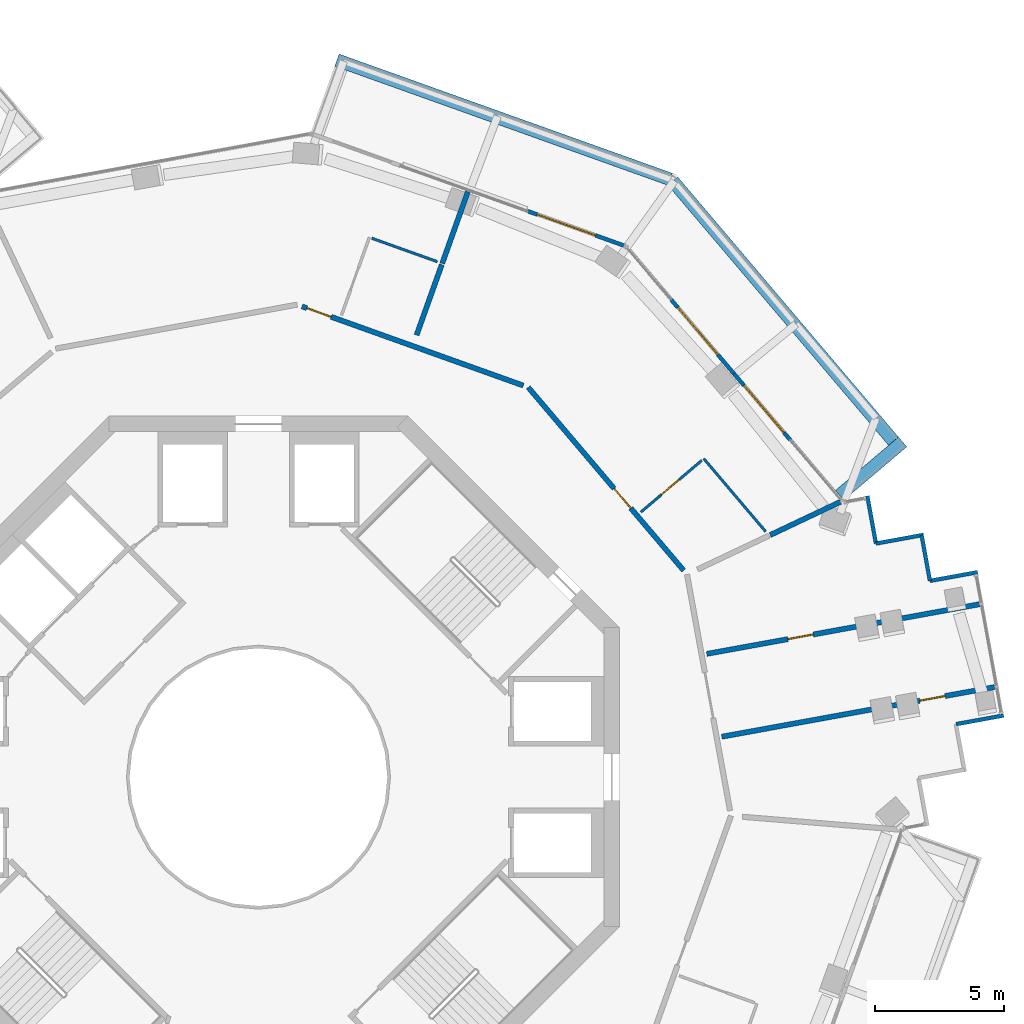
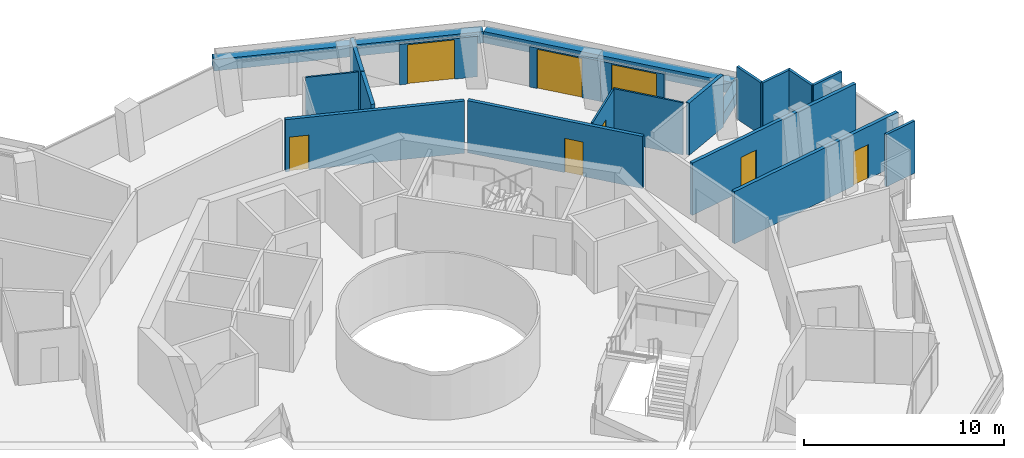
# One storey, part 18 of 21: 21 walls, 8 doors, 8 openings.
"""IFC4 building model written with IfcOpenShell, lengths in metres."""

from ifc_helpers import new_model, si_unit, direction, frame, frame_2d, origin, place, context, subcontext, project, spatial, rectangle, extrude, material, layer, layer_set, type_object, element, fill, save


model = new_model("IFC4")

# Units and contexts
model_context = context("Model", 3, precision=1e-05, world=origin(), true_north=direction((0.0, 1.0)))
body_context = subcontext(model_context, "Body", "Model", "MODEL_VIEW")
ifc_project = project(units=[si_unit("LENGTHUNIT", "METRE"), si_unit("AREAUNIT", "SQUARE_METRE"), si_unit("VOLUMEUNIT", "CUBIC_METRE"), si_unit("PLANEANGLEUNIT", "RADIAN"), si_unit("MASSUNIT", "GRAM", prefix="KILO")], contexts=[model_context])

# Site, building, storey
site_placement = place(None, origin())
site = spatial("IfcSite", under=ifc_project, at=site_placement, CompositionType="ELEMENT")
building_placement = place(site_placement, origin())
building = spatial("IfcBuilding", under=site, at=building_placement, Name="Verdalira Terraces Hotel", CompositionType="ELEMENT")
storey_placement = place(building_placement, frame((0.0, 0.0, 197.5)))
storey = spatial("IfcBuildingStorey", under=building, at=storey_placement, Name="L48", CompositionType="ELEMENT", Elevation=197.5)

# Walls
ifc_material_1 = material(Name="Concrete C40", Category="concrete")
ifc_layer_1 = layer(ifc_material_1, 0.5)
ifc_layer_set_1 = layer_set([ifc_layer_1], Name="Balcony planter trough with tree")
wall_type_1 = type_object("IfcWallType", Name="Balcony planter trough with tree", PredefinedType="SOLIDWALL", material=ifc_layer_set_1)
wall_1_placement = place(storey_placement, frame((22.540527, 10.931885, 0.0), z_axis=(0.0, 0.0, 1.0), x_axis=(0.762447521, 0.647050058, 0.0)))
element("IfcWall", 1, at=wall_1_placement, inside=storey, type_object=wall_type_1, Name="Balcony planter", PredefinedType="SOLIDWALL", context=body_context, shape_type="SweptSolid", body=[
    extrude(rectangle(XDim=3.198975, YDim=0.5, at=frame_2d((1.599609, 0.0))), origin(), (0.0, 0.0, 1.0), 0.699951),
])
wall_2_placement = place(storey_placement, frame((24.627197, 13.030762, 0.0), z_axis=(0.0, 0.0, 1.0), x_axis=(-0.647062996, 0.762436541, 0.0)))
element("IfcWall", 2, at=wall_2_placement, inside=storey, type_object=wall_type_1, Name="Balcony planter", PredefinedType="SOLIDWALL", context=body_context, shape_type="SweptSolid", body=[
    extrude(rectangle(XDim=13.223389, YDim=0.5, at=frame_2d((6.611816, 0.0))), origin(), (0.0, 0.0, 1.0), 0.699951),
])
wall_3_placement = place(storey_placement, frame((15.964355, 23.186523, 0.0), z_axis=(0.0, 0.0, 1.0), x_axis=(-0.941588869, 0.33676461, 0.0)))
element("IfcWall", 3, at=wall_3_placement, inside=storey, type_object=wall_type_1, Name="Balcony planter", PredefinedType="SOLIDWALL", context=body_context, shape_type="SweptSolid", body=[
    extrude(rectangle(XDim=13.723389, YDim=0.5, at=frame_2d((6.861816, 0.0))), origin(), (0.0, 0.0, 1.0), 0.699951),
])
ifc_material_2 = material(Name="Moisture-resistant gypsum board partition")
ifc_layer_2 = layer(ifc_material_2, 0.10009765625)
ifc_layer_set_2 = layer_set([ifc_layer_2], Name="Bathroom partition 100 mm")
wall_type_2 = type_object("IfcWallType", Name="Bathroom partition 100 mm", PredefinedType="PARTITIONING", material=ifc_layer_set_2)
wall_4_placement = place(storey_placement, frame((4.394775, 20.89917, 0.0), z_axis=(0.0, 0.0, 1.0), x_axis=(0.941567897, -0.336823242, 0.0)))
element("IfcWall", 4, at=wall_4_placement, inside=storey, type_object=wall_type_2, Name="Bathroom partition", PredefinedType="PARTITIONING", context=body_context, shape_type="SweptSolid", body=[
    extrude(rectangle(XDim=2.699951, YDim=0.100098, at=frame_2d((1.350098, 0.0))), origin(), (0.0, 0.0, 1.0), 3.189941),
])

# Wall, opening, door
wall_5_placement = place(storey_placement, frame((17.193604, 12.2854, 0.0), z_axis=(0.0, 0.0, 1.0), x_axis=(-0.762432611, -0.647067627, 0.0)))
wall_5 = element("IfcWall", 5, at=wall_5_placement, inside=storey, type_object=wall_type_2, Name="Bathroom partition", PredefinedType="PARTITIONING", context=body_context, shape_type="SweptSolid", body=[
    extrude(rectangle(XDim=3.100342, YDim=0.100098, at=frame_2d((1.550293, 0.0))), origin(), (0.0, 0.0, 1.0), 3.189941),
])
opening_1_placement = place(wall_5_placement, frame((1.149902, 0.0, 0.0)))
opening_1 = element("IfcOpeningElement", 6, at=opening_1_placement, cuts=wall_5, Name="Opening L48-122", PredefinedType="OPENING", context=body_context, shape_type="SweptSolid", body=[
    extrude(rectangle(XDim=0.899902, YDim=2.100098, at=frame_2d((0.449951, 1.050049))), frame((0.0, 0.060059, 0.0), z_axis=(0.0, -1.0, 0.0), x_axis=(1.0, 0.0, 0.0)), (0.0, 0.0, 1.0), 0.120117),
])
ifc_material_3 = material(Name="Timber door", Category="wood")
door_type_1 = type_object("IfcDoorType", Name="Bathroom door 900 x 2100", OperationType="NOTDEFINED", PredefinedType="DOOR", material=ifc_material_3)
door_1_placement = place(opening_1_placement, origin())
door_1 = element("IfcDoor", 7, at=door_1_placement, inside=storey, type_object=door_type_1, Name="Bathroom door 4809", OperationType="SINGLE_SWING_LEFT", OverallHeight=2.10009765625, OverallWidth=0.89990234375, PredefinedType="DOOR", context=body_context, shape_type="SweptSolid", body=[
    extrude(rectangle(XDim=0.899902, YDim=2.100098, at=frame_2d((0.449951, 1.050049))), frame((0.0, 0.024902, 0.0), z_axis=(0.0, -1.0, 0.0), x_axis=(1.0, 0.0, 0.0)), (0.0, 0.0, 1.0), 0.050049),
])
fill(opening_1, door_1)

# Walls
wall_6_placement = place(storey_placement, frame((17.269775, 12.350098, 0.0), z_axis=(0.0, 0.0, 1.0), x_axis=(0.647043638, -0.76245297, 0.0)))
element("IfcWall", 8, at=wall_6_placement, inside=storey, type_object=wall_type_2, Name="Bathroom partition", PredefinedType="PARTITIONING", context=body_context, shape_type="SweptSolid", body=[
    extrude(rectangle(XDim=3.704102, YDim=0.100098, at=frame_2d((1.852051, 0.0))), origin(), (0.0, 0.0, 1.0), 3.189941),
])
ifc_material_4 = material(Name="Fire-rated gypsum board wall")
ifc_layer_3 = layer(ifc_material_4, 0.199951171875)
ifc_layer_set_3 = layer_set([ifc_layer_3], Name="Demising wall 200 mm")
wall_type_3 = type_object("IfcWallType", Name="Demising wall 200 mm", PredefinedType="SOLIDWALL", material=ifc_layer_set_3)
wall_7_placement = place(storey_placement, frame((6.131104, 17.14209, 0.0), z_axis=(0.0, 0.0, 1.0), x_axis=(0.336778275, 0.941583981, 0.0)))
element("IfcWall", 9, at=wall_7_placement, inside=storey, type_object=wall_type_3, Name="Demising wall", PredefinedType="SOLIDWALL", context=body_context, shape_type="SweptSolid", body=[
    extrude(rectangle(XDim=2.904785, YDim=0.199951, at=frame_2d((1.452393, 0.0))), origin(), (0.0, 0.0, 1.0), 3.189941),
])
wall_8_placement = place(storey_placement, frame((7.124756, 19.92041, 0.0), z_axis=(0.0, 0.0, 1.0), x_axis=(0.336744989, 0.941595886, 0.0)))
element("IfcWall", 10, at=wall_8_placement, inside=storey, type_object=wall_type_3, Name="Demising wall", PredefinedType="SOLIDWALL", context=body_context, shape_type="SweptSolid", body=[
    extrude(rectangle(XDim=2.952148, YDim=0.199951, at=frame_2d((1.476074, 0.0))), origin(), (0.0, 0.0, 1.0), 3.189941),
])
wall_9_placement = place(storey_placement, frame((19.84375, 9.388672, 0.0), z_axis=(0.0, 0.0, 1.0), x_axis=(0.90394408, 0.427650675, 0.0)))
element("IfcWall", 11, at=wall_9_placement, inside=storey, type_object=wall_type_3, Name="Demising wall", PredefinedType="SOLIDWALL", context=body_context, shape_type="SweptSolid", body=[
    extrude(rectangle(XDim=3.011475, YDim=0.199951, at=frame_2d((1.505859, 0.0))), origin(), (0.0, 0.0, 1.0), 3.189941),
])

# Wall, opening, door
wall_10_placement = place(storey_placement, frame((17.383301, 4.780518, 0.0), z_axis=(0.0, 0.0, 1.0), x_axis=(0.983822637, 0.179145247, 0.0)))
wall_10 = element("IfcWall", 12, at=wall_10_placement, inside=storey, type_object=wall_type_3, Name="Demising wall", PredefinedType="SOLIDWALL", context=body_context, shape_type="SweptSolid", body=[
    extrude(rectangle(XDim=10.749756, YDim=0.199951, at=frame_2d((5.375, 0.0))), origin(), (0.0, 0.0, 1.0), 3.189941),
])
opening_2_placement = place(wall_10_placement, frame((3.199951, 0.0, 0.0)))
opening_2 = element("IfcOpeningElement", 13, at=opening_2_placement, cuts=wall_10, Name="Opening L48-120", PredefinedType="OPENING", context=body_context, shape_type="SweptSolid", body=[
    extrude(rectangle(XDim=1.0, YDim=2.100098, at=frame_2d((0.5, 1.050049))), frame((0.0, 0.109863, 0.0), z_axis=(0.0, -1.0, 0.0), x_axis=(1.0, 0.0, 0.0)), (0.0, 0.0, 1.0), 0.219971),
])
ifc_material_5 = material(Name="Timber fire door", Category="wood")
door_type_2 = type_object("IfcDoorType", Name="Public room door 1000 x 2100", OperationType="NOTDEFINED", PredefinedType="DOOR", material=ifc_material_5)
door_2_placement = place(opening_2_placement, origin())
door_2 = element("IfcDoor", 14, at=door_2_placement, inside=storey, type_object=door_type_2, Name="Public room door 4808", OperationType="SINGLE_SWING_LEFT", OverallHeight=2.10009765625, OverallWidth=1.0, PredefinedType="DOOR", context=body_context, shape_type="SweptSolid", body=[
    extrude(rectangle(XDim=1.0, YDim=2.100098, at=frame_2d((0.5, 1.050049))), frame((0.0, 0.024902, 0.0), z_axis=(0.0, -1.0, 0.0), x_axis=(1.0, 0.0, 0.0)), (0.0, 0.0, 1.0), 0.050049),
])
fill(opening_2, door_2)

wall_11_placement = place(storey_placement, frame((28.544189, 3.494385, 0.0), z_axis=(0.0, 0.0, 1.0), x_axis=(-0.983823366, -0.179141244, 0.0)))
wall_11 = element("IfcWall", 15, at=wall_11_placement, inside=storey, type_object=wall_type_3, Name="Demising wall", PredefinedType="SOLIDWALL", context=body_context, shape_type="SweptSolid", body=[
    extrude(rectangle(XDim=10.75, YDim=0.199951, at=frame_2d((5.375, 0.0))), origin(), (0.0, 0.0, 1.0), 3.189941),
])
opening_3_placement = place(wall_11_placement, frame((1.949951, 0.0, 0.0)))
opening_3 = element("IfcOpeningElement", 16, at=opening_3_placement, cuts=wall_11, Name="Opening L48-119", PredefinedType="OPENING", context=body_context, shape_type="SweptSolid", body=[
    extrude(rectangle(XDim=1.0, YDim=2.100098, at=frame_2d((0.5, 1.050049))), frame((0.0, 0.109863, 0.0), z_axis=(0.0, -1.0, 0.0), x_axis=(1.0, 0.0, 0.0)), (0.0, 0.0, 1.0), 0.219971),
])
door_3_placement = place(opening_3_placement, origin())
door_3 = element("IfcDoor", 17, at=door_3_placement, inside=storey, type_object=door_type_2, Name="Public room door 4808", OperationType="SINGLE_SWING_LEFT", OverallHeight=2.10009765625, OverallWidth=1.0, PredefinedType="DOOR", context=body_context, shape_type="SweptSolid", body=[
    extrude(rectangle(XDim=1.0, YDim=2.100098, at=frame_2d((0.5, 1.050049))), frame((0.0, 0.024902, 0.0), z_axis=(0.0, -1.0, 0.0), x_axis=(1.0, 0.0, 0.0)), (0.0, 0.0, 1.0), 0.050049),
])
fill(opening_3, door_3)

ifc_material_6 = material(Name="Fire-rated gypsum board wall")
ifc_layer_4 = layer(ifc_material_6, 0.199951171875)
ifc_layer_set_4 = layer_set([ifc_layer_4], Name="Guest corridor wall 200 mm")
wall_type_4 = type_object("IfcWallType", Name="Guest corridor wall 200 mm", PredefinedType="SOLIDWALL", material=ifc_layer_set_4)
wall_12_placement = place(storey_placement, frame((1.688721, 18.255859, 0.0), z_axis=(0.0, 0.0, 1.0), x_axis=(0.941589725, -0.336762215, 0.0)))
wall_12 = element("IfcWall", 18, at=wall_12_placement, inside=storey, type_object=wall_type_4, Name="Guest corridor wall", PredefinedType="SOLIDWALL", context=body_context, shape_type="SweptSolid", body=[
    extrude(rectangle(XDim=9.115723, YDim=0.199951, at=frame_2d((4.557861, 0.0))), origin(), (0.0, 0.0, 1.0), 3.189941),
])
opening_4_placement = place(wall_12_placement, frame((0.199951, 0.0, 0.0)))
opening_4 = element("IfcOpeningElement", 19, at=opening_4_placement, cuts=wall_12, Name="Opening L48-123", PredefinedType="OPENING", context=body_context, shape_type="SweptSolid", body=[
    extrude(rectangle(XDim=1.0, YDim=2.100098, at=frame_2d((0.5, 1.050049))), frame((0.0, 0.109863, 0.0), z_axis=(0.0, -1.0, 0.0), x_axis=(1.0, 0.0, 0.0)), (0.0, 0.0, 1.0), 0.219971),
])
ifc_material_7 = material(Name="Timber fire door", Category="wood")
door_type_3 = type_object("IfcDoorType", Name="Guest entry door 1000 x 2100", OperationType="NOTDEFINED", PredefinedType="DOOR", material=ifc_material_7)
door_4_placement = place(opening_4_placement, origin())
door_4 = element("IfcDoor", 20, at=door_4_placement, inside=storey, type_object=door_type_3, Name="Guest entry door 4810", OperationType="SINGLE_SWING_LEFT", OverallHeight=2.10009765625, OverallWidth=1.0, PredefinedType="DOOR", context=body_context, shape_type="SweptSolid", body=[
    extrude(rectangle(XDim=1.0, YDim=2.100098, at=frame_2d((0.5, 1.050049))), frame((0.0, 0.024902, 0.0), z_axis=(0.0, -1.0, 0.0), x_axis=(1.0, 0.0, 0.0)), (0.0, 0.0, 1.0), 0.050049),
])
fill(opening_4, door_4)

wall_13_placement = place(storey_placement, frame((10.461182, 15.118164, 0.0), z_axis=(0.0, 0.0, 1.0), x_axis=(0.647056399, -0.76244214, 0.0)))
wall_13 = element("IfcWall", 21, at=wall_13_placement, inside=storey, type_object=wall_type_4, Name="Guest corridor wall", PredefinedType="SOLIDWALL", context=body_context, shape_type="SweptSolid", body=[
    extrude(rectangle(XDim=9.316162, YDim=0.199951, at=frame_2d((4.658203, 0.0))), origin(), (0.0, 0.0, 1.0), 3.189941),
])
opening_5_placement = place(wall_13_placement, frame((5.149902, 0.0, 0.0)))
opening_5 = element("IfcOpeningElement", 22, at=opening_5_placement, cuts=wall_13, Name="Opening L48-121", PredefinedType="OPENING", context=body_context, shape_type="SweptSolid", body=[
    extrude(rectangle(XDim=1.0, YDim=2.100098, at=frame_2d((0.5, 1.050049))), frame((0.0, 0.109863, 0.0), z_axis=(0.0, -1.0, 0.0), x_axis=(1.0, 0.0, 0.0)), (0.0, 0.0, 1.0), 0.219971),
])
door_5_placement = place(opening_5_placement, origin())
door_5 = element("IfcDoor", 23, at=door_5_placement, inside=storey, type_object=door_type_3, Name="Guest entry door 4809", OperationType="SINGLE_SWING_LEFT", OverallHeight=2.10009765625, OverallWidth=1.0, PredefinedType="DOOR", context=body_context, shape_type="SweptSolid", body=[
    extrude(rectangle(XDim=1.0, YDim=2.100098, at=frame_2d((0.5, 1.050049))), frame((0.0, 0.024902, 0.0), z_axis=(0.0, -1.0, 0.0), x_axis=(1.0, 0.0, 0.0)), (0.0, 0.0, 1.0), 0.050049),
])
fill(opening_5, door_5)

# Walls
ifc_material_8 = material(Name="Terracotta cladding", Category="masonry")
ifc_layer_5 = layer(ifc_material_8, 0.14990234375)
ifc_layer_set_5 = layer_set([ifc_layer_5], Name="Terracotta clad wall 150")
wall_type_5 = type_object("IfcWallType", Name="Terracotta clad wall 150", PredefinedType="SOLIDWALL", material=ifc_layer_set_5)
wall_14_placement = place(storey_placement, frame((27.052979, 2.054688, 0.0), z_axis=(0.0, 0.0, 1.0), x_axis=(0.983815693, 0.179183374, 0.0)))
element("IfcWall", 24, at=wall_14_placement, inside=storey, type_object=wall_type_5, Name="Terracotta cladding wall", PredefinedType="SOLIDWALL", context=body_context, shape_type="SweptSolid", body=[
    extrude(rectangle(XDim=1.874756, YDim=0.149902, at=frame_2d((0.9375, 0.0))), origin(), (0.0, 0.0, 1.0), 3.189941),
])
wall_15_placement = place(storey_placement, frame((27.885498, 7.949219, 0.0), z_axis=(0.0, 0.0, 1.0), x_axis=(-0.983819873, -0.179160422, 0.0)))
element("IfcWall", 25, at=wall_15_placement, inside=storey, type_object=wall_type_5, Name="Terracotta cladding wall", PredefinedType="SOLIDWALL", context=body_context, shape_type="SweptSolid", body=[
    extrude(rectangle(XDim=1.875, YDim=0.149902, at=frame_2d((0.9375, 0.0))), origin(), (0.0, 0.0, 1.0), 3.189941),
])
wall_16_placement = place(storey_placement, frame((26.040771, 7.613281, 0.0), z_axis=(0.0, 0.0, 1.0), x_axis=(-0.179183844, 0.983815608, 0.0)))
element("IfcWall", 26, at=wall_16_placement, inside=storey, type_object=wall_type_5, Name="Terracotta cladding wall", PredefinedType="SOLIDWALL", context=body_context, shape_type="SweptSolid", body=[
    extrude(rectangle(XDim=1.799805, YDim=0.149902, at=frame_2d((0.899902, 0.0))), origin(), (0.0, 0.0, 1.0), 3.189941),
])
wall_17_placement = place(storey_placement, frame((25.791992, 9.397461, 0.0), z_axis=(0.0, 0.0, 1.0), x_axis=(-0.983842816, -0.179034393, 0.0)))
element("IfcWall", 27, at=wall_17_placement, inside=storey, type_object=wall_type_5, Name="Terracotta cladding wall", PredefinedType="SOLIDWALL", context=body_context, shape_type="SweptSolid", body=[
    extrude(rectangle(XDim=1.875, YDim=0.149902, at=frame_2d((0.9375, 0.0))), origin(), (0.0, 0.0, 1.0), 3.189941),
])
wall_18_placement = place(storey_placement, frame((23.947266, 9.061768, 0.0), z_axis=(0.0, 0.0, 1.0), x_axis=(-0.179057331, 0.983838641, 0.0)))
element("IfcWall", 28, at=wall_18_placement, inside=storey, type_object=wall_type_5, Name="Terracotta cladding wall", PredefinedType="SOLIDWALL", context=body_context, shape_type="SweptSolid", body=[
    extrude(rectangle(XDim=1.874756, YDim=0.149902, at=frame_2d((0.9375, 0.0))), origin(), (0.0, 0.0, 1.0), 3.189941),
])

# Wall, opening, door
ifc_material_9 = material(Name="Terracotta cladding", Category="masonry")
ifc_layer_6 = layer(ifc_material_9, 0.14990234375)
ifc_layer_set_6 = layer_set([ifc_layer_6], Name="Terracotta door pier 150")
wall_type_6 = type_object("IfcWallType", Name="Terracotta door pier 150", PredefinedType="SOLIDWALL", material=ifc_layer_set_6)
wall_19_placement = place(storey_placement, frame((20.638428, 13.055664, 0.0), z_axis=(0.0, 0.0, 1.0), x_axis=(-0.647052089, 0.762445797, 0.0)))
wall_19 = element("IfcWall", 29, at=wall_19_placement, inside=storey, type_object=wall_type_6, Name="Terracotta door pier", PredefinedType="SOLIDWALL", context=body_context, shape_type="SweptSolid", body=[
    extrude(rectangle(XDim=3.399902, YDim=0.149902, at=frame_2d((1.699951, 0.0))), origin(), (0.0, 0.0, 1.0), 2.475098),
])
opening_6_placement = place(wall_19_placement, frame((0.399902, 0.0, 0.0)))
opening_6 = element("IfcOpeningElement", 30, at=opening_6_placement, cuts=wall_19, Name="Opening L48-B11", PredefinedType="OPENING", context=body_context, shape_type="SweptSolid", body=[
    extrude(rectangle(XDim=2.399902, YDim=2.399902, at=frame_2d((1.199951, 1.199951))), frame((0.0, 0.084961, 0.0), z_axis=(0.0, -1.0, 0.0), x_axis=(1.0, 0.0, 0.0)), (0.0, 0.0, 1.0), 0.169922),
])
ifc_material_10 = material(Name="Clear glass", Category="glass")
door_type_4 = type_object("IfcDoorType", Name="Balcony sliding door 2400x2400", OperationType="NOTDEFINED", PredefinedType="DOOR", material=ifc_material_10)
door_6_placement = place(opening_6_placement, origin())
door_6 = element("IfcDoor", 31, at=door_6_placement, inside=storey, type_object=door_type_4, Name="Balcony sliding door", OperationType="SLIDING_TO_RIGHT", OverallHeight=2.39990234375, OverallWidth=2.39990234375, PredefinedType="DOOR", context=body_context, shape_type="SweptSolid", body=[
    extrude(rectangle(XDim=2.399902, YDim=2.399902, at=frame_2d((1.199951, 1.199951))), frame((0.0, 0.024902, 0.0), z_axis=(0.0, -1.0, 0.0), x_axis=(1.0, 0.0, 0.0)), (0.0, 0.0, 1.0), 0.050049),
])
fill(opening_6, door_6)

wall_20_placement = place(storey_placement, frame((18.438477, 15.647949, 0.0), z_axis=(0.0, 0.0, 1.0), x_axis=(-0.647079225, 0.762422768, 0.0)))
wall_20 = element("IfcWall", 32, at=wall_20_placement, inside=storey, type_object=wall_type_6, Name="Terracotta door pier", PredefinedType="SOLIDWALL", context=body_context, shape_type="SweptSolid", body=[
    extrude(rectangle(XDim=3.76123, YDim=0.149902, at=frame_2d((1.880615, 0.0))), origin(), (0.0, 0.0, 1.0), 2.475098),
])
opening_7_placement = place(wall_20_placement, frame((0.961182, 0.0, 0.0)))
opening_7 = element("IfcOpeningElement", 33, at=opening_7_placement, cuts=wall_20, Name="Opening L48-B12", PredefinedType="OPENING", context=body_context, shape_type="SweptSolid", body=[
    extrude(rectangle(XDim=2.399902, YDim=2.399902, at=frame_2d((1.199951, 1.199951))), frame((0.0, 0.084961, 0.0), z_axis=(0.0, -1.0, 0.0), x_axis=(1.0, 0.0, 0.0)), (0.0, 0.0, 1.0), 0.169922),
])
door_7_placement = place(opening_7_placement, origin())
door_7 = element("IfcDoor", 34, at=door_7_placement, inside=storey, type_object=door_type_4, Name="Balcony sliding door", OperationType="SLIDING_TO_LEFT", OverallHeight=2.39990234375, OverallWidth=2.39990234375, PredefinedType="DOOR", context=body_context, shape_type="SweptSolid", body=[
    extrude(rectangle(XDim=2.399902, YDim=2.399902, at=frame_2d((1.199951, 1.199951))), frame((0.0, 0.024902, 0.0), z_axis=(0.0, -1.0, 0.0), x_axis=(1.0, 0.0, 0.0)), (0.0, 0.0, 1.0), 0.050049),
])
fill(opening_7, door_7)

wall_21_placement = place(storey_placement, frame((14.170166, 20.615479, 0.0), z_axis=(0.0, 0.0, 1.0), x_axis=(-0.941598422, 0.336737897, 0.0)))
wall_21 = element("IfcWall", 35, at=wall_21_placement, inside=storey, type_object=wall_type_6, Name="Terracotta door pier", PredefinedType="SOLIDWALL", context=body_context, shape_type="SweptSolid", body=[
    extrude(rectangle(XDim=3.967285, YDim=0.149902, at=frame_2d((1.983643, 0.0))), origin(), (0.0, 0.0, 1.0), 2.475098),
])
opening_8_placement = place(wall_21_placement, frame((1.167236, 0.0, 0.0)))
opening_8 = element("IfcOpeningElement", 36, at=opening_8_placement, cuts=wall_21, Name="Opening L48-B13", PredefinedType="OPENING", context=body_context, shape_type="SweptSolid", body=[
    extrude(rectangle(XDim=2.399902, YDim=2.399902, at=frame_2d((1.199951, 1.199951))), frame((0.0, 0.084961, 0.0), z_axis=(0.0, -1.0, 0.0), x_axis=(1.0, 0.0, 0.0)), (0.0, 0.0, 1.0), 0.169922),
])
door_8_placement = place(opening_8_placement, origin())
door_8 = element("IfcDoor", 37, at=door_8_placement, inside=storey, type_object=door_type_4, Name="Balcony sliding door", OperationType="SLIDING_TO_LEFT", OverallHeight=2.39990234375, OverallWidth=2.39990234375, PredefinedType="DOOR", context=body_context, shape_type="SweptSolid", body=[
    extrude(rectangle(XDim=2.399902, YDim=2.399902, at=frame_2d((1.199951, 1.199951))), frame((0.0, 0.024902, 0.0), z_axis=(0.0, -1.0, 0.0), x_axis=(1.0, 0.0, 0.0)), (0.0, 0.0, 1.0), 0.050049),
])
fill(opening_8, door_8)

save(model, "model.ifc")
